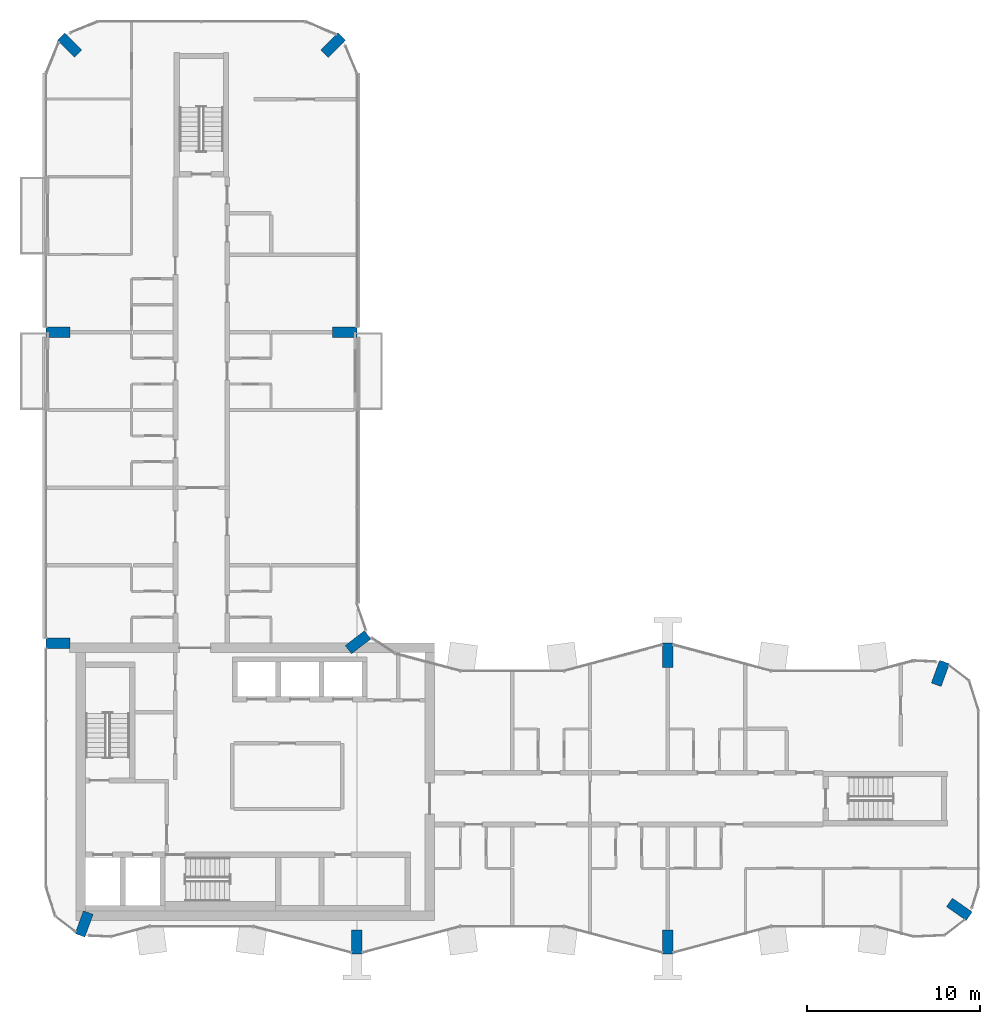
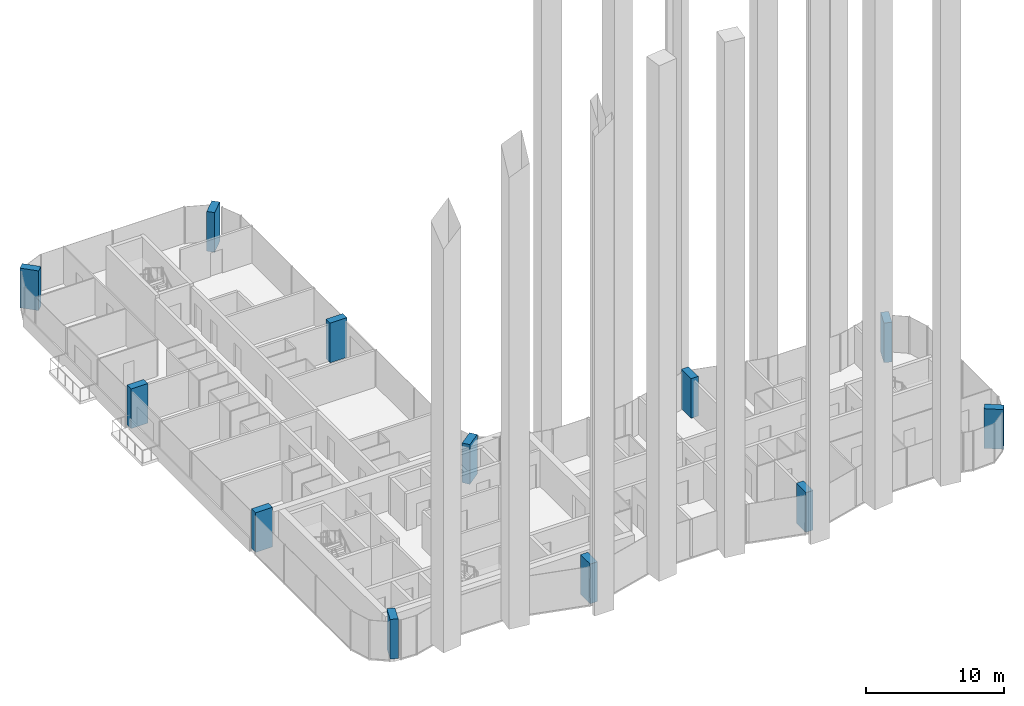
# One storey, part 1 of 17: 12 columns.
"""IFC4 building model written with IfcOpenShell, lengths in metres."""

from ifc_helpers import new_model, si_unit, direction, frame, origin, origin_2d, place, context, subcontext, project, spatial, rectangle, extrude, material, material_profile, profile_set, type_object, element, save


model = new_model("IFC4")

# Units and contexts
model_context = context("Model", 3, precision=1e-05, world=origin(), true_north=direction((0.0, 1.0)))
body_context = subcontext(model_context, "Body", "Model", "MODEL_VIEW")
ifc_project = project(units=[si_unit("LENGTHUNIT", "METRE"), si_unit("AREAUNIT", "SQUARE_METRE"), si_unit("VOLUMEUNIT", "CUBIC_METRE"), si_unit("PLANEANGLEUNIT", "RADIAN"), si_unit("MASSUNIT", "GRAM", prefix="KILO")], contexts=[model_context])

# Site, building, storey
site_placement = place(None, origin())
site = spatial("IfcSite", under=ifc_project, at=site_placement, CompositionType="ELEMENT")
building_placement = place(site_placement, origin())
building = spatial("IfcBuilding", under=site, at=building_placement, Name="Plateau Cross Towers", CompositionType="ELEMENT")
storey_placement = place(building_placement, frame((0.0, 0.0, 190.89990234375)))
storey = spatial("IfcBuildingStorey", under=building, at=storey_placement, Name="L49", CompositionType="ELEMENT", Elevation=190.89990234375)

# Columns
ifc_material = material(Name="Concrete C60/75", Category="concrete")
ifc_material_profile = material_profile(ifc_material, rectangle(XDim=0.60009765625, YDim=1.39990234375, at=origin_2d()), Name="RC 600x1400")
ifc_profile_set = profile_set([ifc_material_profile], Name="Concrete C60/75")
column_type = type_object("IfcColumnType", Name="Fin pier column RC 600x1400", PredefinedType="COLUMN", material=ifc_profile_set)
for number, where, z_axis, x_axis, name in (
    (1, (18.0, 0.699951171875, 0.0), (0.0, 0.0, 1.0), (1.0, 0.0, 0.0), "PR1 L49"),
    (2, (36.0, 0.699951171875, 0.0), (0.0, 0.0, 1.0), (1.0, 0.0, 0.0), "PR2 L49"),
    (3, (52.884033203125, 2.590087890625, 0.0), (0.0, 0.0, 1.0), (0.573542637991, 0.819175709117, 0.0), "PR3 L49"),
    (4, (51.786865234375, 16.251953125, 0.0), (0.0, 0.0, 1.0), (-0.939664280925, 0.342097996418, 0.0), "PR4 L49"),
    (5, (36.0, 17.300048828125, 0.0), (0.0, 0.0, 1.0), (1.0, 0.0, 0.0), "PR5 L49"),
    (6, (18.064697265625, 18.049560546875, 0.0), (0.0, 0.0, 1.0), (-0.608810846443, 0.793315418515, 0.0), "PR6 L49"),
    (7, (17.300048828125, 36.0, 0.0), (0.0, 0.0, 1.0), (0.0, 1.0, 0.0), "PR7 L49"),
    (8, (16.62646484375, 52.62646484375, 0.0), (0.0, 0.0, 1.0), (-0.707106781187, 0.707106781187, 0.0), "PR8 L49"),
    (9, (1.37353515625, 52.62646484375, 0.0), (0.0, 0.0, 1.0), (0.707106781187, 0.707106781187, 0.0), "PR9 L49"),
    (10, (0.699951171875, 36.0, 0.0), (0.0, 0.0, 1.0), (0.0, 1.0, 0.0), "PR10 L49"),
    (11, (0.699951171875, 18.0, 0.0), (0.0, 0.0, 1.0), (0.0, 1.0, 0.0), "PR11 L49"),
    (12, (2.213134765625, 1.748046875, 0.0), (0.0, 0.0, 1.0), (-0.939664280925, 0.342097996418, 0.0), "PR12 L49"),
):
    element("IfcColumn", number, at=place(storey_placement, frame(where, z_axis=z_axis, x_axis=x_axis)), inside=storey, type_object=column_type, Name=name, PredefinedType="COLUMN", context=body_context, shape_type="SweptSolid", body=[
        extrude(rectangle(XDim=0.60009765625, YDim=1.39990234375, at=origin_2d()), origin(), (0.0, 0.0, 1.0), 3.5),
    ])

save(model, "model.ifc")
